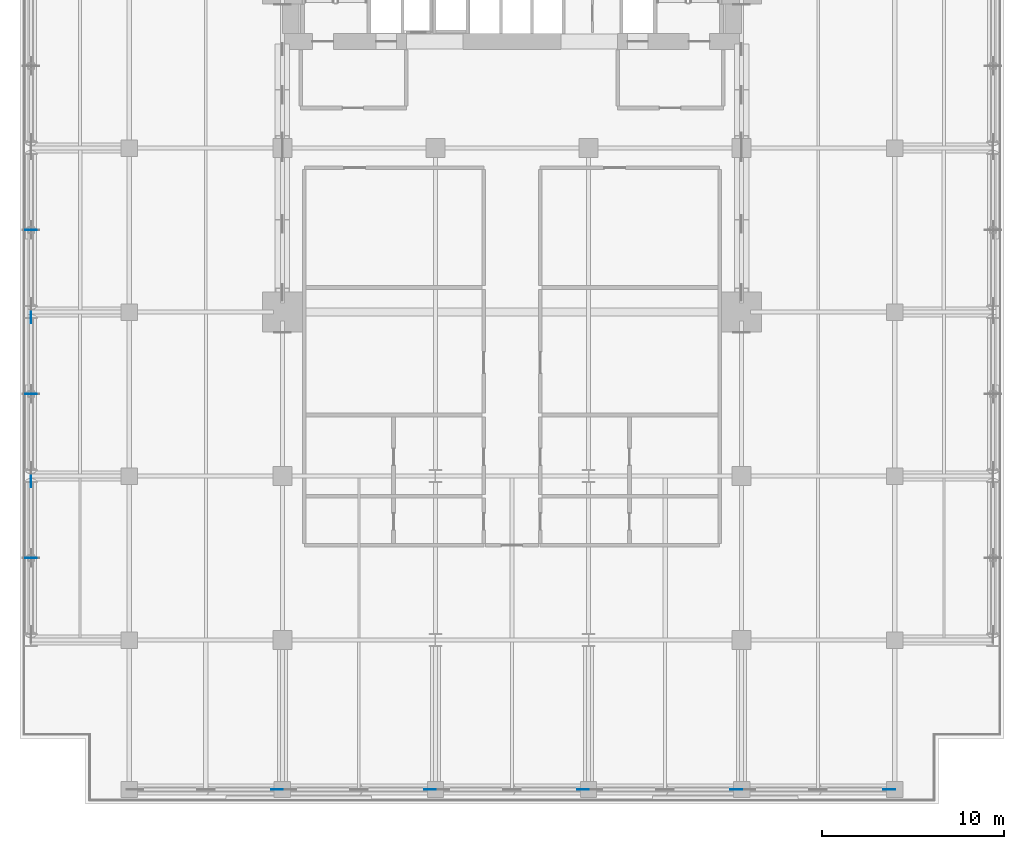
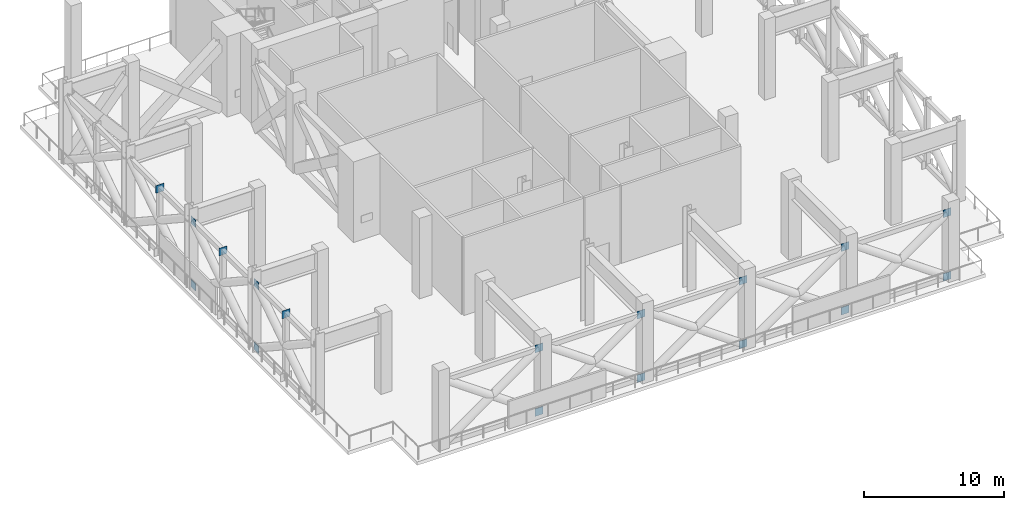
# One storey, part 8 of 16: 17 plates.
"""IFC4 building model written with IfcOpenShell, lengths in metres."""

import ifcopenshell
import ifcopenshell.guid

model = None  # the IFC model being written
_history = None  # IfcOwnerHistory: only IFC2X3 demands one
_inside = {}  # id of a spatial element -> (the spatial element, [elements in it])
_under = {}  # id of a project, library or spatial element -> (it, [spatial elements below it])
_declared = {}  # id of a project -> (the project, [libraries it declares])
_typed = {}  # id of a type object -> (the type object, [elements of that type])
_made_of = {}  # id of a material, layer set ... -> (it, [elements and type objects made of it])


def new_model(schema):
    """Start an empty IFC model of exactly this schema.

    Asked for "IFC4X3", IfcOpenShell would pick the latest addendum, in which some entities
    have other attributes; the version numbers below select the first issue.
    IFC2X3 requires an IfcOwnerHistory on every rooted entity: one is made here for all.
    """
    global model, _history
    if schema == "IFC4X3":
        model = ifcopenshell.file(schema_version=(4, 3, 0, 0))
    else:
        model = ifcopenshell.file(schema=schema)
    _inside.clear()
    _under.clear()
    _declared.clear()
    _typed.clear()
    _made_of.clear()
    _history = None
    if model.schema == "IFC2X3":
        org = make("IfcOrganization", Name="unknown")
        user = make(
            "IfcPersonAndOrganization",
            ThePerson=make("IfcPerson", FamilyName="unknown"),
            TheOrganization=org,
        )
        app = make(
            "IfcApplication",
            ApplicationDeveloper=org,
            Version="unknown",
            ApplicationFullName="unknown",
            ApplicationIdentifier="unknown",
        )
        _history = make(
            "IfcOwnerHistory",
            OwningUser=user,
            OwningApplication=app,
            ChangeAction="ADDED",
            CreationDate=0,
        )
    return model


def make(cls, **values):
    """One entity of the class cls with the attributes given. An attribute that is None is left unset."""
    return model.create_entity(
        cls, **{name: value for name, value in values.items() if value is not None}
    )


def rooted(cls, **values):
    """An entity with a GlobalId (a new one), such as an element, a storey or a relation."""
    return make(cls, GlobalId=ifcopenshell.guid.new(), OwnerHistory=_history, **values)


def si_unit(unit_type, name, prefix=None):
    """IfcSIUnit, for example si_unit("LENGTHUNIT", "METRE", prefix="MILLI")."""
    return make("IfcSIUnit", UnitType=unit_type, Prefix=prefix, Name=name)


def assignment(units):
    """IfcUnitAssignment: the units of a project."""
    return None if units is None else make("IfcUnitAssignment", Units=units)


def point(xyz):
    """IfcCartesianPoint."""
    return None if xyz is None else make("IfcCartesianPoint", Coordinates=xyz)


def direction(xyz):
    """IfcDirection."""
    return None if xyz is None else make("IfcDirection", DirectionRatios=xyz)


def frame(location, z_axis=None, x_axis=None):
    """IfcAxis2Placement3D, a coordinate frame: its origin and axes. An axis left out is left unset."""
    return make(
        "IfcAxis2Placement3D",
        Location=point(location),
        Axis=direction(z_axis),
        RefDirection=direction(x_axis),
    )


def frame_2d(location, x_axis=None):
    """IfcAxis2Placement2D, a coordinate frame in the plane: its origin and x axis."""
    return make(
        "IfcAxis2Placement2D", Location=point(location), RefDirection=direction(x_axis)
    )


def origin():
    """The frame at (0, 0, 0) with its axes left unset."""
    return frame((0.0, 0.0, 0.0))


def origin_2d():
    """The frame at (0, 0) in the plane with its x axis left unset."""
    return frame_2d((0.0, 0.0))


def place(relative_to, where):
    """IfcLocalPlacement: puts the frame where relative to a parent placement (None: the world)."""
    return make(
        "IfcLocalPlacement", PlacementRelTo=relative_to, RelativePlacement=where
    )


def context(
    kind, dimensions, precision=None, world=None, true_north=None, identifier=None
):
    """IfcGeometricRepresentationContext, for example the 3D "Model" context."""
    return make(
        "IfcGeometricRepresentationContext",
        ContextIdentifier=identifier,
        ContextType=kind,
        CoordinateSpaceDimension=dimensions,
        Precision=precision,
        WorldCoordinateSystem=world,
        TrueNorth=true_north,
    )


def subcontext(parent, identifier, kind, view, scale=None):
    """IfcGeometricRepresentationSubContext, for example "Body" below "Model"."""
    return make(
        "IfcGeometricRepresentationSubContext",
        ContextIdentifier=identifier,
        ContextType=kind,
        ParentContext=parent,
        TargetScale=scale,
        TargetView=view,
    )


def project(units=None, contexts=None):
    """IfcProject with its units and contexts."""
    return rooted(
        "IfcProject",
        Name="project",
        RepresentationContexts=contexts,
        UnitsInContext=assignment(units),
    )


def spatial(cls, under=None, at=None, **own):
    """A site, building, storey or space (cls), placed at a placement, below another one or the project."""
    s = rooted(cls, ObjectPlacement=at, **own)
    if under is not None:
        _under.setdefault(under.id(), (under, []))[1].append(s)
    return s


def profile(cls, at=None, kind="AREA", **sizes):
    """A parametric profile (cls). Its sizes go by their IFC names, for example OverallWidth=200.0."""
    return make(cls, ProfileType=kind, Position=at, **sizes)


def rectangle(**sizes):
    """IfcRectangleProfileDef."""
    return profile("IfcRectangleProfileDef", **sizes)


def extrude(swept, where, along, depth):
    """IfcExtrudedAreaSolid: the profile swept, set in the frame where, extruded along a direction by depth."""
    return make(
        "IfcExtrudedAreaSolid",
        SweptArea=swept,
        Position=where,
        ExtrudedDirection=direction(along),
        Depth=depth,
    )


def shape(context_of_items, identifier, shape_type, items):
    """IfcShapeRepresentation: the items that make up one representation, for example the "Body"."""
    return make(
        "IfcShapeRepresentation",
        ContextOfItems=context_of_items,
        RepresentationIdentifier=identifier,
        RepresentationType=shape_type,
        Items=items,
    )


def material(Name=None, Category=None):
    """IfcMaterial."""
    return make("IfcMaterial", Name=Name, Category=Category)


def layer(
    of_material, thickness, ventilated=None, Name=None, Category=None, Priority=None
):
    """IfcMaterialLayer: one layer of a wall or slab, of a material (None: an air gap)."""
    return make(
        "IfcMaterialLayer",
        Material=of_material,
        LayerThickness=thickness,
        IsVentilated=ventilated,
        Name=Name,
        Category=Category,
        Priority=Priority,
    )


def layer_set(layers, Name=None):
    """IfcMaterialLayerSet."""
    return make("IfcMaterialLayerSet", MaterialLayers=layers, LayerSetName=Name)


def made_of(thing, what):
    """Note that an element or type object is made of a material, layer set ...; save() writes the relation."""
    if what is not None:
        _made_of.setdefault(what.id(), (what, []))[1].append(thing)
    return thing


def type_object(cls, material=None, **own):
    """A type object (cls), such as IfcWallType, which elements share."""
    return made_of(rooted(cls, **own), material)


def element(
    cls,
    number,
    at=None,
    inside=None,
    cuts=None,
    type_object=None,
    material=None,
    context=None,
    identifier="Body",
    shape_type=None,
    held_by="IfcProductDefinitionShape",
    body=None,
    shapes=None,
    **own,
):
    """One element of the class cls, such as IfcWall. Its Tag is "e" and its number.

    at: its placement. inside: the storey or other place that contains it. cuts: it is an
    opening in that element (IfcRelVoidsElement). A single representation is given by context,
    identifier, shape_type and body (its items); several are given by shapes. held_by: the class
    of the entity that holds the representations. save() writes the other relations.
    """
    e = rooted(cls, Tag="e%d" % number, ObjectPlacement=at, **own)
    if body is not None:
        shapes = [shape(context, identifier, shape_type, body)]
    if shapes is not None:
        e.Representation = make(held_by, Representations=shapes)
    if inside is not None:
        _inside.setdefault(inside.id(), (inside, []))[1].append(e)
    if cuts is not None:
        rooted(
            "IfcRelVoidsElement", RelatingBuildingElement=cuts, RelatedOpeningElement=e
        )
    if type_object is not None:
        _typed.setdefault(type_object.id(), (type_object, []))[1].append(e)
    return made_of(e, material)


def aggregate(whole, parts):
    """IfcRelAggregates: a whole, such as a stair, and the parts it consists of."""
    return rooted("IfcRelAggregates", RelatingObject=whole, RelatedObjects=parts)


def save(model, path):
    """Write the relations noted so far, then the file.

    IfcRelAggregates (storeys below a building ...), IfcRelContainedInSpatialStructure (elements
    in a storey), IfcRelDefinesByType, IfcRelAssociatesMaterial and IfcRelDeclares: one each for
    every whole, place, type object, material and project.
    """
    for whole, parts in _under.values():
        aggregate(whole, parts)
    for where, things in _inside.values():
        rooted(
            "IfcRelContainedInSpatialStructure",
            RelatedElements=things,
            RelatingStructure=where,
        )
    for kind, things in _typed.values():
        rooted("IfcRelDefinesByType", RelatedObjects=things, RelatingType=kind)
    for what, things in _made_of.values():
        rooted("IfcRelAssociatesMaterial", RelatedObjects=things, RelatingMaterial=what)
    for by, libraries in _declared.values():
        rooted("IfcRelDeclares", RelatingContext=by, RelatedDefinitions=libraries)
    model.write(path)


model = new_model("IFC4")

# Units and contexts
model_context = context("Model", 3, precision=1e-05, world=origin(), true_north=direction((0.0, 1.0)))
body_context = subcontext(model_context, "Body", "Model", "MODEL_VIEW")
ifc_project = project(units=[si_unit("LENGTHUNIT", "METRE"), si_unit("AREAUNIT", "SQUARE_METRE"), si_unit("VOLUMEUNIT", "CUBIC_METRE"), si_unit("PLANEANGLEUNIT", "RADIAN"), si_unit("MASSUNIT", "GRAM", prefix="KILO")], contexts=[model_context])

# Site, building, storey
site_placement = place(None, origin())
site = spatial("IfcSite", under=ifc_project, at=site_placement, CompositionType="ELEMENT")
building_placement = place(site_placement, origin())
building = spatial("IfcBuilding", under=site, at=building_placement, Name="Maruvema Waterfront Hotel and Observation Tower", CompositionType="ELEMENT")
storey_placement = place(building_placement, frame((0.0, 0.0, 115.5)))
storey = spatial("IfcBuildingStorey", under=building, at=storey_placement, Name="L28", CompositionType="ELEMENT", Elevation=115.5)

# Plates
ifc_material = material(Name="Steel ABNT NBR 7007 AR 415 (ASTM A572 Grade 50)", Category="steel")
ifc_layer = layer(ifc_material, 0.034912109375, Name="Hollow Section Sealed End Cap Plate 35 mm")
ifc_layer_set = layer_set([ifc_layer], Name="Steel ABNT NBR 7007 AR 415 (ASTM A572 Grade 50)")
plate_type = type_object("IfcPlateType", Name="Hollow Section Sealed End Cap Plate 35 mm", PredefinedType="USERDEFINED", material=ifc_layer_set)
for number, where, z_axis, x_axis, name in (
    (1, (11.39990234375, 17.699951171875, -0.074951171875), (0.0, 0.0, 1.0), (0.0, 1.0, 0.0), "L28 Perimeter Belt Truss Chord W1 Node Plate 2"),
    (2, (11.39990234375, 17.699951171875, 5.455078125), (0.0, 0.0, 1.0), (0.0, 1.0, 0.0), "L28 Perimeter Belt Truss Top Chord W1 Node Plate 2"),
    (3, (11.39990234375, 13.5, 5.455078125), (0.0, 0.0, 1.0), (1.0, 0.0, 0.0), "L28 Perimeter Belt Truss Post W1 Node Plate 2"),
    (4, (11.39990234375, 26.699951171875, -0.074951171875), (0.0, 0.0, 1.0), (0.0, 1.0, 0.0), "L28 Perimeter Belt Truss Chord W2 Node Plate 2"),
    (5, (11.39990234375, 26.699951171875, 5.455078125), (0.0, 0.0, 1.0), (0.0, 1.0, 0.0), "L28 Perimeter Belt Truss Top Chord W2 Node Plate 2"),
    (6, (11.39990234375, 22.5, 5.455078125), (0.0, 0.0, 1.0), (1.0, 0.0, 0.0), "L28 Perimeter Belt Truss Post W2 Node Plate 2"),
    (7, (11.39990234375, 31.5, 5.455078125), (0.0, 0.0, 1.0), (1.0, 0.0, 0.0), "L28 Perimeter Belt Truss Post W3 Node Plate 2"),
    (8, (24.89990234375, 0.800048828125, -0.074951171875), (0.0, 0.0, 1.0), (1.0, 0.0, 0.0), "L28 South Perimeter Belt Truss Chord 1 Node Plate 2"),
    (9, (24.89990234375, 0.800048828125, 5.455078125), (0.0, 0.0, 1.0), (1.0, 0.0, 0.0), "L28 South Perimeter Belt Truss Top Chord 1 Node Plate 2"),
    (10, (33.300048828125, 0.800048828125, -0.074951171875), (0.0, 0.0, 1.0), (1.0, 0.0, 0.0), "L28 South Perimeter Belt Truss Chord 2 Node Plate 2"),
    (11, (33.300048828125, 0.800048828125, 5.455078125), (0.0, 0.0, 1.0), (1.0, 0.0, 0.0), "L28 South Perimeter Belt Truss Top Chord 2 Node Plate 2"),
    (12, (41.699951171875, 0.800048828125, -0.074951171875), (0.0, 0.0, 1.0), (1.0, 0.0, 0.0), "L28 South Perimeter Belt Truss Chord 3 Node Plate 2"),
    (13, (41.699951171875, 0.800048828125, 5.455078125), (0.0, 0.0, 1.0), (1.0, 0.0, 0.0), "L28 South Perimeter Belt Truss Top Chord 3 Node Plate 2"),
    (14, (50.10009765625, 0.800048828125, -0.074951171875), (0.0, 0.0, 1.0), (1.0, 0.0, 0.0), "L28 South Perimeter Belt Truss Chord 4 Node Plate 2"),
    (15, (50.10009765625, 0.800048828125, 5.455078125), (0.0, 0.0, 1.0), (1.0, 0.0, 0.0), "L28 South Perimeter Belt Truss Top Chord 4 Node Plate 2"),
    (16, (58.5, 0.800048828125, -0.074951171875), (0.0, 0.0, 1.0), (1.0, 0.0, 0.0), "L28 South Perimeter Belt Truss Chord 5 Node Plate 2"),
    (17, (58.5, 0.800048828125, 5.455078125), (0.0, 0.0, 1.0), (1.0, 0.0, 0.0), "L28 South Perimeter Belt Truss Top Chord 5 Node Plate 2"),
):
    element("IfcPlate", number, at=place(storey_placement, frame(where, z_axis=z_axis, x_axis=x_axis)), inside=storey, type_object=plate_type, Name=name, ObjectType="END_CAP_PLATE", PredefinedType="USERDEFINED", context=body_context, shape_type="SweptSolid", body=[
        extrude(rectangle(XDim=0.64990234375, YDim=0.034912109375, at=origin_2d()), origin(), (0.0, 0.0, 1.0), 0.64990234375),
    ])

save(model, "model.ifc")
